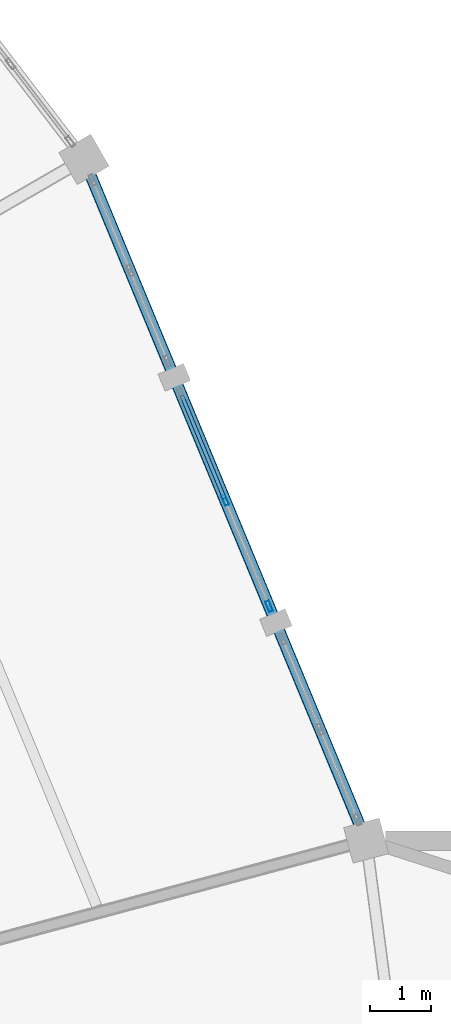
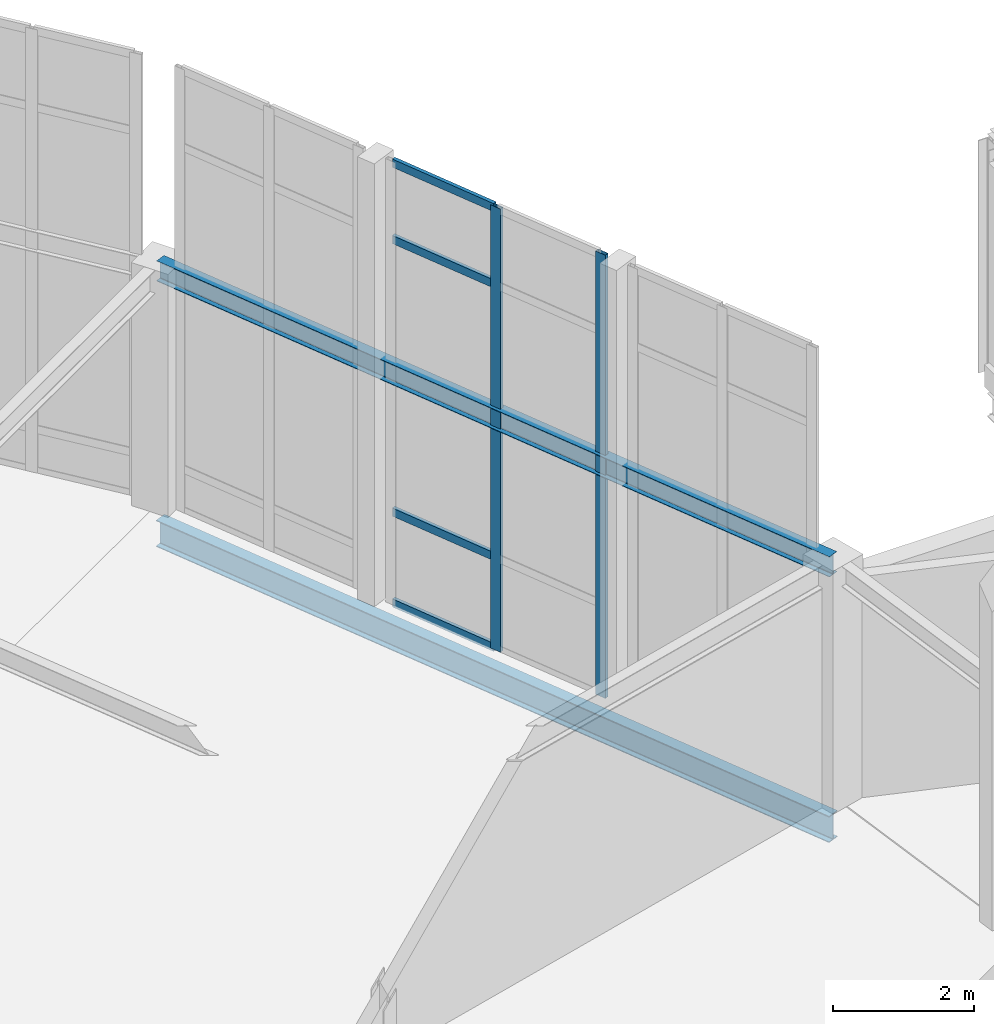
# One storey, part 126 of 185: 6 members, 2 beams, 1 element without a shape of its own.
"""IFC4 building model written with IfcOpenShell, lengths in metres."""

from ifc_helpers import new_model, si_unit, direction, frame, origin, origin_2d, place, context, subcontext, project, spatial, hollow_rectangle, i_section, extrude, material, material_profile, profile_set, type_object, element, aggregate, save


model = new_model("IFC4")

# Units and contexts
model_context = context("Model", 3, precision=1e-05, world=origin(), true_north=direction((0.0, 1.0)))
body_context = subcontext(model_context, "Body", "Model", "MODEL_VIEW")
ifc_project = project(units=[si_unit("LENGTHUNIT", "METRE"), si_unit("AREAUNIT", "SQUARE_METRE"), si_unit("VOLUMEUNIT", "CUBIC_METRE"), si_unit("PLANEANGLEUNIT", "RADIAN"), si_unit("MASSUNIT", "GRAM", prefix="KILO")], contexts=[model_context])

# Site, building, storey
site_placement = place(None, origin())
site = spatial("IfcSite", under=ifc_project, at=site_placement, CompositionType="ELEMENT")
building_placement = place(site_placement, origin())
building = spatial("IfcBuilding", under=site, at=building_placement, Name="Vondelvale Polytechnic", CompositionType="ELEMENT")
storey_placement = place(building_placement, frame((0.0, 0.0, 9.60009765625)))
storey = spatial("IfcBuildingStorey", under=building, at=storey_placement, Name="L02", CompositionType="ELEMENT", Elevation=9.60009765625)

# Beams
ifc_material_1 = material(Name="Steel 300PLUS (fy = 300 MPa)", Category="steel")
ifc_material_profile_1 = material_profile(ifc_material_1, i_section(OverallWidth=0.1708984375, OverallDepth=0.35205078125, WebThickness=0.0068359375, FlangeThickness=0.009765625, FilletRadius=0.011474609375, at=origin_2d()), Name="360UB44.7")
ifc_profile_set_1 = profile_set([ifc_material_profile_1], Name="Steel 300PLUS (fy = 300 MPa)")
beam_type_1 = type_object("IfcBeamType", Name="BM-UB360L", PredefinedType="BEAM", material=ifc_profile_set_1)
beam_1_placement = place(storey_placement, frame((146.4326171875, 83.90576171875, 4.02392578125), z_axis=(-0.382688765072, 0.923877323614, 0.0), x_axis=(-0.923877323614, -0.382688765072, 0.0)))
element("IfcBeam", 1, at=beam_1_placement, inside=storey, type_object=beam_type_1, Name="L02 RE B-24", PredefinedType="BEAM", context=body_context, shape_type="SweptSolid", body=[
    extrude(i_section(OverallWidth=0.1708984375, OverallDepth=0.35205078125, WebThickness=0.0068359375, FlangeThickness=0.009765625, FilletRadius=0.011474609375, at=origin_2d()), origin(), (0.0, 0.0, 1.0), 12.00830078125),
])
ifc_material_profile_2 = material_profile(ifc_material_1, i_section(OverallWidth=0.18994140625, OverallDepth=0.45703125, WebThickness=0.009033203125, FlangeThickness=0.014404296875, FilletRadius=0.011474609375, at=origin_2d()), Name="460UB74.6")
ifc_profile_set_2 = profile_set([ifc_material_profile_2], Name="Steel 300PLUS (fy = 300 MPa)")
beam_type_2 = type_object("IfcBeamType", Name="BM-UB460", PredefinedType="BEAM", material=ifc_profile_set_2)
beam_2_placement = place(storey_placement, frame((146.4326171875, 83.90576171875, -0.508544921875), z_axis=(-0.382688765072, 0.923877323614, 0.0), x_axis=(-0.923877323614, -0.382688765072, 0.0)))
element("IfcBeam", 2, at=beam_2_placement, inside=storey, type_object=beam_type_2, Name="L02 RB B-13", PredefinedType="BEAM", context=body_context, shape_type="SweptSolid", body=[
    extrude(i_section(OverallWidth=0.18994140625, OverallDepth=0.45703125, WebThickness=0.009033203125, FlangeThickness=0.014404296875, FilletRadius=0.011474609375, at=origin_2d()), origin(), (0.0, 0.0, 1.0), 12.00830078125),
])

# Curtain wall, members
ifc_material_2 = material(Name="Glulam GL18 structural Tasmanian oak (fb = 42 MPa)", Category="wood")
curtain_wall_type = type_object("IfcCurtainWallType", Name="CW-RING-OUTER", PredefinedType="NOTDEFINED", material=ifc_material_2)
curtain_wall_placement = place(storey_placement, origin())
curtain_wall = element("IfcCurtainWall", 3, at=curtain_wall_placement, inside=storey, type_object=curtain_wall_type, Name="L02 architectural curtain wall CW-04-083", PredefinedType="NOTDEFINED")
ifc_material_3 = material(Name="Anodised extruded aluminium 6063-T6", Category="aluminium")
ifc_material_profile_3 = material_profile(ifc_material_3, hollow_rectangle(XDim=0.06494140625, YDim=0.179931640625, WallThickness=0.00390625, at=origin_2d()), Name="CW-MUL-180x65")
ifc_profile_set_3 = profile_set([ifc_material_profile_3], Name="Anodised extruded aluminium 6063-T6")
member_type_1 = type_object("IfcMemberType", Name="CW-MUL-65x180", PredefinedType="MULLION", material=ifc_profile_set_3)
member_1_placement = place(storey_placement, frame((144.85205078125, 87.721435546875, 0.0), z_axis=(0.0, 0.0, 1.0), x_axis=(-0.92387490701, -0.382694599123, 0.0)))
member_1 = element("IfcMember", 4, at=member_1_placement, type_object=member_type_1, Name="CW-04-083 mullion 1", PredefinedType="MULLION", context=body_context, shape_type="SweptSolid", body=[
    extrude(hollow_rectangle(XDim=0.06494140625, YDim=0.179931640625, WallThickness=0.00390625, at=origin_2d()), origin(), (0.0, 0.0, 1.0), 7.661376953125),
])
member_2_placement = place(storey_placement, frame((144.135009765625, 89.452880859375, 0.0), z_axis=(0.0, 0.0, 1.0), x_axis=(-0.92387490701, -0.382694599123, 0.0)))
member_2 = element("IfcMember", 5, at=member_2_placement, type_object=member_type_1, Name="CW-04-083 mullion 2", PredefinedType="MULLION", context=body_context, shape_type="SweptSolid", body=[
    extrude(hollow_rectangle(XDim=0.06494140625, YDim=0.179931640625, WallThickness=0.00390625, at=origin_2d()), origin(), (0.0, 0.0, 1.0), 7.661376953125),
])
ifc_material_profile_4 = material_profile(ifc_material_3, hollow_rectangle(XDim=0.06005859375, YDim=0.139892578125, WallThickness=0.00341796875, at=origin_2d()), Name="CW-TRN-140x60")
ifc_profile_set_4 = profile_set([ifc_material_profile_4], Name="Anodised extruded aluminium 6063-T6")
member_type_2 = type_object("IfcMemberType", Name="CW-TRN-60x140", PredefinedType="USERDEFINED", material=ifc_profile_set_4)
member_3_placement = place(storey_placement, frame((144.12255859375, 89.48291015625, 0.02978515625), z_axis=(-0.382765012338, 0.92384573676, 0.0), x_axis=(-0.92384573676, -0.382765012338, 0.0)))
member_3 = element("IfcMember", 6, at=member_3_placement, type_object=member_type_2, Name="CW-04-083 transom 2.1", ObjectType="TRANSOM", PredefinedType="USERDEFINED", context=body_context, shape_type="SweptSolid", body=[
    extrude(hollow_rectangle(XDim=0.06005859375, YDim=0.139892578125, WallThickness=0.00341796875, at=origin_2d()), origin(), (0.0, 0.0, 1.0), 1.808837890625),
])
member_4_placement = place(storey_placement, frame((144.12255859375, 89.48291015625, 1.599853515625), z_axis=(-0.382765012338, 0.92384573676, 0.0), x_axis=(-0.92384573676, -0.382765012338, 0.0)))
member_4 = element("IfcMember", 7, at=member_4_placement, type_object=member_type_2, Name="CW-04-083 transom 2.2", ObjectType="TRANSOM", PredefinedType="USERDEFINED", context=body_context, shape_type="SweptSolid", body=[
    extrude(hollow_rectangle(XDim=0.06005859375, YDim=0.139892578125, WallThickness=0.00341796875, at=origin_2d()), origin(), (0.0, 0.0, 1.0), 1.808837890625),
])
member_5_placement = place(storey_placement, frame((144.12255859375, 89.48291015625, 6.311279296875), z_axis=(-0.382765012338, 0.92384573676, 0.0), x_axis=(-0.92384573676, -0.382765012338, 0.0)))
member_5 = element("IfcMember", 8, at=member_5_placement, type_object=member_type_2, Name="CW-04-083 transom 2.3", ObjectType="TRANSOM", PredefinedType="USERDEFINED", context=body_context, shape_type="SweptSolid", body=[
    extrude(hollow_rectangle(XDim=0.06005859375, YDim=0.139892578125, WallThickness=0.00341796875, at=origin_2d()), origin(), (0.0, 0.0, 1.0), 1.808837890625),
])
member_6_placement = place(storey_placement, frame((144.12255859375, 89.48291015625, 7.63134765625), z_axis=(-0.382765012338, 0.92384573676, 0.0), x_axis=(-0.92384573676, -0.382765012338, 0.0)))
member_6 = element("IfcMember", 9, at=member_6_placement, type_object=member_type_2, Name="CW-04-083 transom 2.4", ObjectType="TRANSOM", PredefinedType="USERDEFINED", context=body_context, shape_type="SweptSolid", body=[
    extrude(hollow_rectangle(XDim=0.06005859375, YDim=0.139892578125, WallThickness=0.00341796875, at=origin_2d()), origin(), (0.0, 0.0, 1.0), 1.808837890625),
])
aggregate(curtain_wall, [member_1, member_2, member_3, member_4, member_5, member_6])

save(model, "model.ifc")
